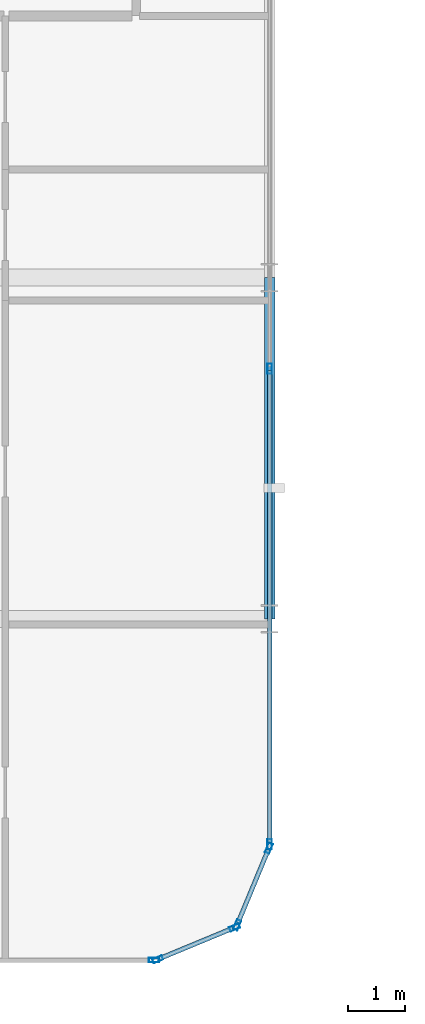
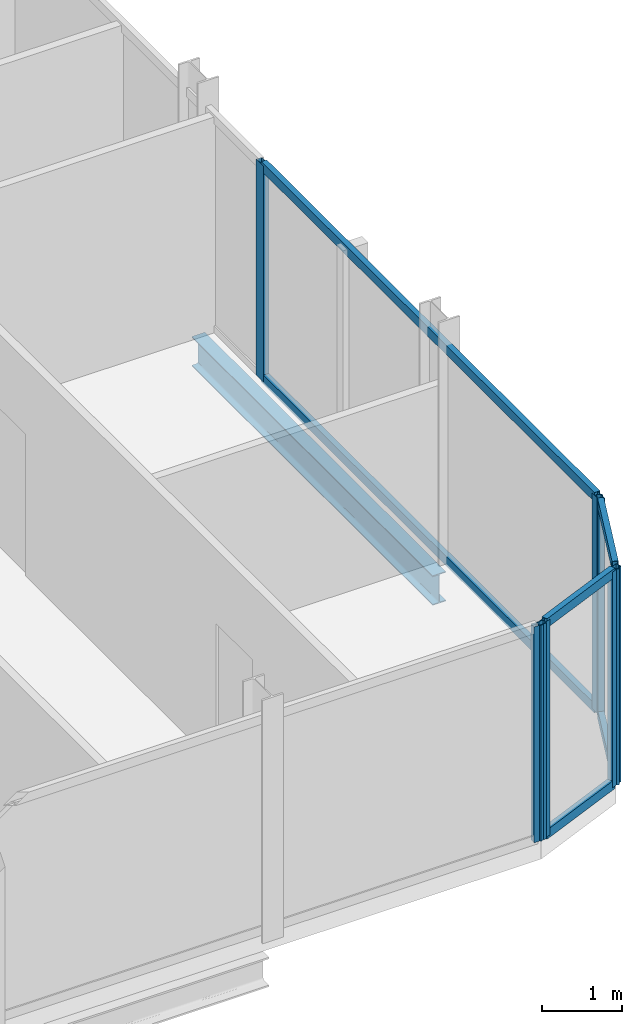
# One storey, part 11 of 31: 13 members, 1 beam, 4 elements without a shape of their own.
"""IFC4 building model written with IfcOpenShell, lengths in metres."""

from ifc_helpers import new_model, si_unit, direction, frame, origin, origin_2d, place, context, subcontext, project, spatial, hollow_rectangle, i_section, extrude, material, layer, layer_set, material_profile, profile_set, type_object, element, aggregate, save


model = new_model("IFC4")

# Units and contexts
model_context = context("Model", 3, precision=1e-05, world=origin(), true_north=direction((0.0, 1.0)))
body_context = subcontext(model_context, "Body", "Model", "MODEL_VIEW")
ifc_project = project(units=[si_unit("LENGTHUNIT", "METRE"), si_unit("AREAUNIT", "SQUARE_METRE"), si_unit("VOLUMEUNIT", "CUBIC_METRE"), si_unit("PLANEANGLEUNIT", "RADIAN"), si_unit("MASSUNIT", "GRAM", prefix="KILO")], contexts=[model_context])

# Site, building, storey
site_placement = place(None, origin())
site = spatial("IfcSite", under=ifc_project, at=site_placement, CompositionType="ELEMENT")
building_placement = place(site_placement, origin())
building = spatial("IfcBuilding", under=site, at=building_placement, Name="Keshet Zoharim Tower", CompositionType="ELEMENT")
storey_placement = place(building_placement, frame((0.0, 0.0, 155.699951171875)))
storey = spatial("IfcBuildingStorey", under=building, at=storey_placement, Name="L38", CompositionType="ELEMENT", Elevation=155.699951171875)

# Beam
ifc_material_1 = material(Name="Steel S355", Category="steel")
ifc_material_profile_1 = material_profile(ifc_material_1, i_section(OverallWidth=0.18994140625, OverallDepth=0.449951171875, WebThickness=0.009521484375, FlangeThickness=0.0146484375, FilletRadius=0.02099609375, at=origin_2d()), Name="IPE450")
ifc_profile_set_1 = profile_set([ifc_material_profile_1], Name="Steel S355")
beam_type = type_object("IfcBeamType", Name="BM-PRI-IP450", PredefinedType="BEAM", material=ifc_profile_set_1)
beam_placement = place(storey_placement, frame((57.0, 6.699951171875, -0.5400390625), z_axis=(0.0, 1.0, 0.0), x_axis=(-1.0, 0.0, 0.0)))
element("IfcBeam", 1, at=beam_placement, inside=storey, type_object=beam_type, Name="L38 Primary Girder Y-013", PredefinedType="BEAM", context=body_context, shape_type="SweptSolid", body=[
    extrude(i_section(OverallWidth=0.18994140625, OverallDepth=0.449951171875, WebThickness=0.009521484375, FlangeThickness=0.0146484375, FilletRadius=0.02099609375, at=origin_2d()), origin(), (0.0, 0.0, 1.0), 6.0),
])

# Curtain wall, members
ifc_material_2 = material(Name="Aluminium 6063-T6", Category="aluminium")
ifc_layer = layer(ifc_material_2, 0.159912109375)
ifc_layer_set = layer_set([ifc_layer], Name="Aluminium 6063-T6")
curtain_wall_type = type_object("IfcCurtainWallType", Name="CW-SYS-03", PredefinedType="NOTDEFINED", material=ifc_layer_set)
curtain_wall_1_placement = place(storey_placement, origin())
curtain_wall_1 = element("IfcCurtainWall", 2, at=curtain_wall_1_placement, inside=storey, type_object=curtain_wall_type, Name="L38 Unitised Curtain Wall 01", PredefinedType="NOTDEFINED")
ifc_material_profile_2 = material_profile(ifc_material_2, hollow_rectangle(XDim=0.080078125, YDim=0.179931640625, WallThickness=0.00439453125, at=origin_2d()), Name="MUL-80x180")
ifc_profile_set_2 = profile_set([ifc_material_profile_2], Name="Aluminium 6063-T6")
member_type_1 = type_object("IfcMemberType", Name="CWM-M18", PredefinedType="MULLION", material=ifc_profile_set_2)
member_1_placement = place(storey_placement, frame((56.986572265625, 2.667724609375, 0.0), z_axis=(0.0, 0.0, 1.0), x_axis=(0.92380975372, -0.382851849847, 0.0)))
member_1 = element("IfcMember", 3, at=member_1_placement, type_object=member_type_1, Name="CW-03 mullion 1", PredefinedType="MULLION", context=body_context, shape_type="SweptSolid", body=[
    extrude(hollow_rectangle(XDim=0.080078125, YDim=0.179931640625, WallThickness=0.00439453125, at=origin_2d()), origin(), (0.0, 0.0, 1.0), 3.280029296875),
])
member_2_placement = place(storey_placement, frame((56.427490234375, 1.318359375, 0.0), z_axis=(0.0, 0.0, 1.0), x_axis=(0.92380975372, -0.382851849847, 0.0)))
member_2 = element("IfcMember", 4, at=member_2_placement, type_object=member_type_1, Name="CW-03 mullion 2", PredefinedType="MULLION", context=body_context, shape_type="SweptSolid", body=[
    extrude(hollow_rectangle(XDim=0.080078125, YDim=0.179931640625, WallThickness=0.00439453125, at=origin_2d()), origin(), (0.0, 0.0, 1.0), 3.280029296875),
])

curtain_wall_2_placement = place(storey_placement, origin())
curtain_wall_2 = element("IfcCurtainWall", 5, at=curtain_wall_2_placement, inside=storey, type_object=curtain_wall_type, Name="L38 Unitised Curtain Wall 02", PredefinedType="NOTDEFINED")
member_3_placement = place(storey_placement, frame((56.381591796875, 1.272705078125, 0.0), z_axis=(0.0, 0.0, 1.0), x_axis=(0.382851849847, -0.92380975372, 0.0)))
member_3 = element("IfcMember", 6, at=member_3_placement, type_object=member_type_1, Name="CW-03 mullion 1", PredefinedType="MULLION", context=body_context, shape_type="SweptSolid", body=[
    extrude(hollow_rectangle(XDim=0.080078125, YDim=0.179931640625, WallThickness=0.00439453125, at=origin_2d()), origin(), (0.0, 0.0, 1.0), 3.280029296875),
])
member_4_placement = place(storey_placement, frame((55.0322265625, 0.71337890625, 0.0), z_axis=(0.0, 0.0, 1.0), x_axis=(0.382851849847, -0.92380975372, 0.0)))
member_4 = element("IfcMember", 7, at=member_4_placement, type_object=member_type_1, Name="CW-03 mullion 2", PredefinedType="MULLION", context=body_context, shape_type="SweptSolid", body=[
    extrude(hollow_rectangle(XDim=0.080078125, YDim=0.179931640625, WallThickness=0.00439453125, at=origin_2d()), origin(), (0.0, 0.0, 1.0), 3.280029296875),
])

# Curtain wall, member
curtain_wall_3_placement = place(storey_placement, origin())
curtain_wall_3 = element("IfcCurtainWall", 8, at=curtain_wall_3_placement, inside=storey, type_object=curtain_wall_type, Name="L38 Unitised Curtain Wall 03", PredefinedType="NOTDEFINED")
member_5_placement = place(storey_placement, frame((54.965087890625, 0.699951171875, 0.0), z_axis=(0.0, 0.0, 1.0), x_axis=(0.0, -1.0, 0.0)))
member_5 = element("IfcMember", 9, at=member_5_placement, type_object=member_type_1, Name="CW-03 mullion 1", PredefinedType="MULLION", context=body_context, shape_type="SweptSolid", body=[
    extrude(hollow_rectangle(XDim=0.080078125, YDim=0.179931640625, WallThickness=0.00439453125, at=origin_2d()), origin(), (0.0, 0.0, 1.0), 3.280029296875),
])
aggregate(curtain_wall_3, [member_5])

# Curtain wall, members
curtain_wall_4_placement = place(storey_placement, origin())
curtain_wall_4 = element("IfcCurtainWall", 10, at=curtain_wall_4_placement, inside=storey, type_object=curtain_wall_type, Name="L38 Unitised Curtain Wall 19", PredefinedType="NOTDEFINED")
member_6_placement = place(storey_placement, frame((57.0, 11.10009765625, 0.0), z_axis=(0.0, 0.0, 1.0), x_axis=(1.0, 0.0, 0.0)))
member_6 = element("IfcMember", 11, at=member_6_placement, type_object=member_type_1, Name="CW-03 mullion 3", PredefinedType="MULLION", context=body_context, shape_type="SweptSolid", body=[
    extrude(hollow_rectangle(XDim=0.080078125, YDim=0.179931640625, WallThickness=0.00439453125, at=origin_2d()), origin(), (0.0, 0.0, 1.0), 3.280029296875),
])
member_7_placement = place(storey_placement, frame((57.0, 2.735107421875, 0.0), z_axis=(0.0, 0.0, 1.0), x_axis=(1.0, 0.0, 0.0)))
member_7 = element("IfcMember", 12, at=member_7_placement, type_object=member_type_1, Name="CW-03 mullion 4", PredefinedType="MULLION", context=body_context, shape_type="SweptSolid", body=[
    extrude(hollow_rectangle(XDim=0.080078125, YDim=0.179931640625, WallThickness=0.00439453125, at=origin_2d()), origin(), (0.0, 0.0, 1.0), 3.280029296875),
])

# Member
ifc_material_profile_3 = material_profile(ifc_material_2, hollow_rectangle(XDim=0.080078125, YDim=0.139892578125, WallThickness=0.00390625, at=origin_2d()), Name="TRN-80x140")
ifc_profile_set_3 = profile_set([ifc_material_profile_3], Name="Aluminium 6063-T6")
member_type_2 = type_object("IfcMemberType", Name="CWT-T14", PredefinedType="USERDEFINED", material=ifc_profile_set_3)
member_8_placement = place(storey_placement, frame((56.97314453125, 2.63525390625, 0.03515625), z_axis=(-0.382744609247, -0.923854189844, 0.0), x_axis=(0.923854189844, -0.382744609247, 0.0)))
member_8 = element("IfcMember", 13, at=member_8_placement, type_object=member_type_2, Name="CW-03 transom 1.1", ObjectType="TRANSOM", PredefinedType="USERDEFINED", context=body_context, shape_type="SweptSolid", body=[
    extrude(hollow_rectangle(XDim=0.080078125, YDim=0.139892578125, WallThickness=0.00390625, at=origin_2d()), origin(), (0.0, 0.0, 1.0), 1.390625),
])

member_9_placement = place(storey_placement, frame((56.97314453125, 2.63525390625, 3.2451171875), z_axis=(-0.382744609247, -0.923854189844, 0.0), x_axis=(0.923854189844, -0.382744609247, 0.0)))
member_9 = element("IfcMember", 14, at=member_9_placement, type_object=member_type_2, Name="CW-03 transom 1.2", ObjectType="TRANSOM", PredefinedType="USERDEFINED", context=body_context, shape_type="SweptSolid", body=[
    extrude(hollow_rectangle(XDim=0.080078125, YDim=0.139892578125, WallThickness=0.00390625, at=origin_2d()), origin(), (0.0, 0.0, 1.0), 1.390625),
])

aggregate(curtain_wall_1, [member_1, member_2, member_8, member_9])

member_10_placement = place(storey_placement, frame((56.349365234375, 1.25927734375, 0.03515625), z_axis=(-0.92379209995, -0.382894445076, 0.0), x_axis=(0.382894445076, -0.92379209995, 0.0)))
member_10 = element("IfcMember", 15, at=member_10_placement, type_object=member_type_2, Name="CW-03 transom 1.1", ObjectType="TRANSOM", PredefinedType="USERDEFINED", context=body_context, shape_type="SweptSolid", body=[
    extrude(hollow_rectangle(XDim=0.080078125, YDim=0.139892578125, WallThickness=0.00390625, at=origin_2d()), origin(), (0.0, 0.0, 1.0), 1.390625),
])

member_11_placement = place(storey_placement, frame((56.349365234375, 1.25927734375, 3.2451171875), z_axis=(-0.92379209995, -0.382894445076, 0.0), x_axis=(0.382894445076, -0.92379209995, 0.0)))
member_11 = element("IfcMember", 16, at=member_11_placement, type_object=member_type_2, Name="CW-03 transom 1.2", ObjectType="TRANSOM", PredefinedType="USERDEFINED", context=body_context, shape_type="SweptSolid", body=[
    extrude(hollow_rectangle(XDim=0.080078125, YDim=0.139892578125, WallThickness=0.00390625, at=origin_2d()), origin(), (0.0, 0.0, 1.0), 1.390625),
])

aggregate(curtain_wall_2, [member_3, member_4, member_10, member_11])

member_12_placement = place(storey_placement, frame((57.0, 11.06494140625, 0.03515625), z_axis=(0.0, -1.0, 0.0), x_axis=(1.0, 0.0, 0.0)))
member_12 = element("IfcMember", 17, at=member_12_placement, type_object=member_type_2, Name="CW-03 transom 3.1", ObjectType="TRANSOM", PredefinedType="USERDEFINED", context=body_context, shape_type="SweptSolid", body=[
    extrude(hollow_rectangle(XDim=0.080078125, YDim=0.139892578125, WallThickness=0.00390625, at=origin_2d()), origin(), (0.0, 0.0, 1.0), 8.294921875),
])

member_13_placement = place(storey_placement, frame((57.0, 11.06494140625, 3.2451171875), z_axis=(0.0, -1.0, 0.0), x_axis=(1.0, 0.0, 0.0)))
member_13 = element("IfcMember", 18, at=member_13_placement, type_object=member_type_2, Name="CW-03 transom 3.2", ObjectType="TRANSOM", PredefinedType="USERDEFINED", context=body_context, shape_type="SweptSolid", body=[
    extrude(hollow_rectangle(XDim=0.080078125, YDim=0.139892578125, WallThickness=0.00390625, at=origin_2d()), origin(), (0.0, 0.0, 1.0), 8.294921875),
])

aggregate(curtain_wall_4, [member_6, member_7, member_12, member_13])

save(model, "model.ifc")
